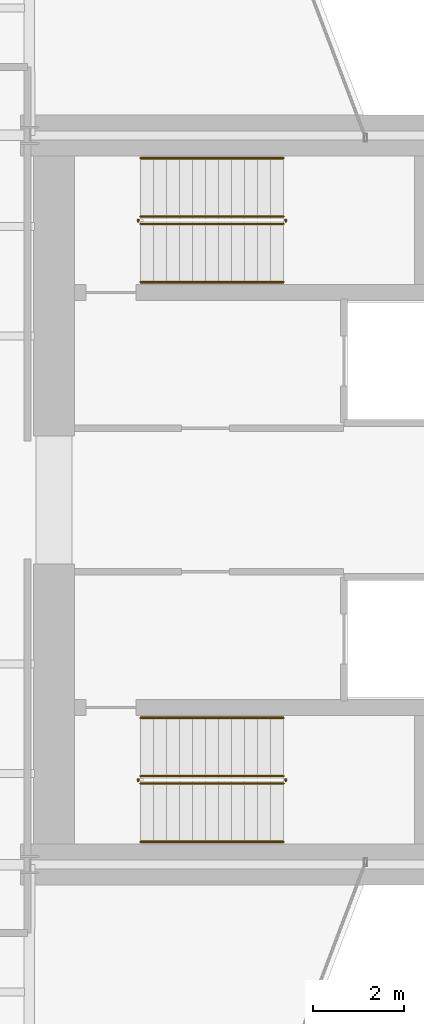
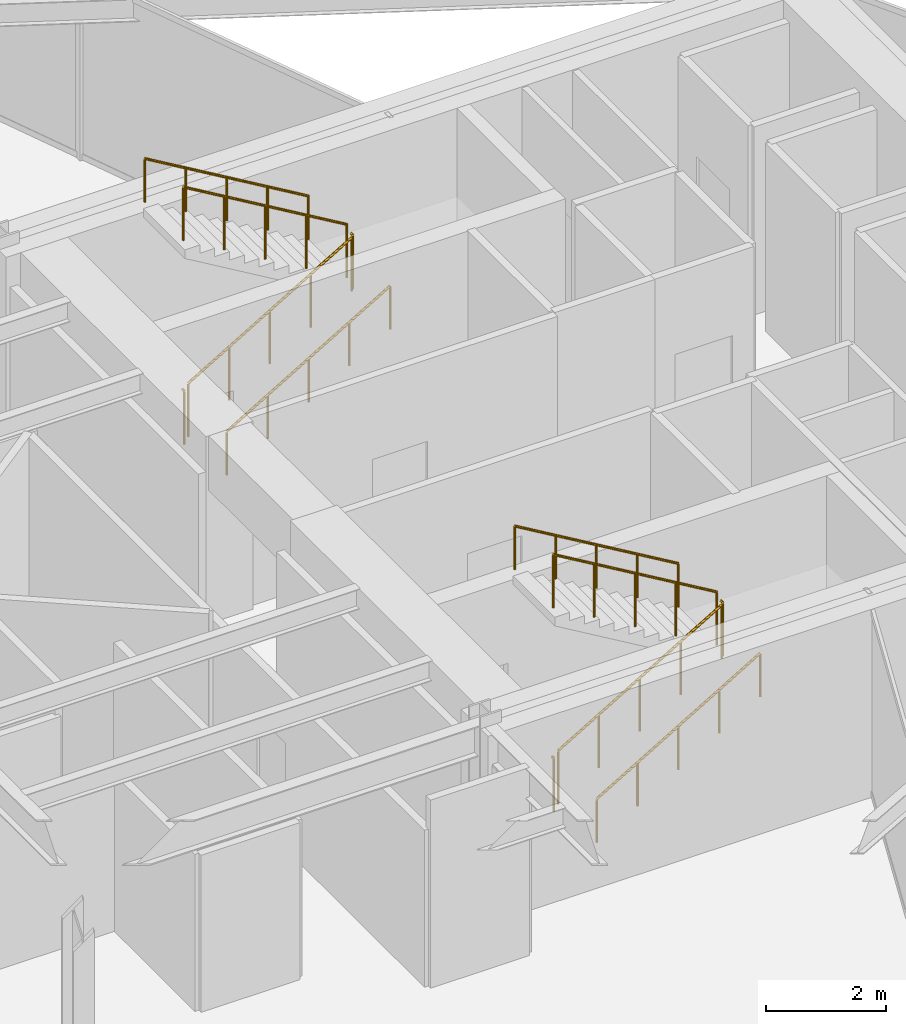
# One storey, part 28 of 28: 12 railings.
"""IFC4 building model written with IfcOpenShell, lengths in metres."""

from ifc_helpers import new_model, si_unit, direction, frame, origin, origin_2d, place, context, subcontext, project, spatial, circle, extrude, material, type_object, element, save


model = new_model("IFC4")

# Units and contexts
model_context = context("Model", 3, precision=1e-05, world=origin(), true_north=direction((0.0, 1.0)))
body_context = subcontext(model_context, "Body", "Model", "MODEL_VIEW")
ifc_project = project(units=[si_unit("LENGTHUNIT", "METRE"), si_unit("AREAUNIT", "SQUARE_METRE"), si_unit("VOLUMEUNIT", "CUBIC_METRE"), si_unit("PLANEANGLEUNIT", "RADIAN"), si_unit("MASSUNIT", "GRAM", prefix="KILO")], contexts=[model_context])

# Site, building, storey
site_placement = place(None, origin())
site = spatial("IfcSite", under=ifc_project, at=site_placement, CompositionType="ELEMENT")
building_placement = place(site_placement, origin())
building = spatial("IfcBuilding", under=site, at=building_placement, Name="Veymaron Broadcast Tower", CompositionType="ELEMENT")
storey_placement = place(building_placement, frame((0.0, 0.0, 45.89990234375)))
storey = spatial("IfcBuildingStorey", under=building, at=storey_placement, Name="L09", CompositionType="ELEMENT", Elevation=45.89990234375)

# Railings
ifc_material_1 = material(Name="Brushed stainless steel AISI 304", Category="steel")
railing_type_1 = type_object("IfcRailingType", Name="RAIL-STAIR-HR", PredefinedType="HANDRAIL", material=ifc_material_1)
railing_1_placement = place(storey_placement, frame((41.429931640625, 28.780029296875, 0.1689453125)))
element("IfcRailing", 1, at=railing_1_placement, inside=storey, type_object=railing_type_1, Name="L09 ST1 stair handrail 1", PredefinedType="HANDRAIL", context=body_context, shape_type="SweptSolid", body=[
    extrude(circle(Radius=0.02392578125, at=origin_2d()), frame((0.0, 0.0, 0.8759765625), z_axis=(0.860481960309, 0.0, 0.509480908359), x_axis=(0.0, 1.0, 0.0)), (0.0, 0.0, 1.0), 3.643310546875),
    extrude(circle(Radius=0.02099609375, at=origin_2d()), origin(), (0.0, 0.0, 1.0), 0.851806640625),
    extrude(circle(Radius=0.02099609375, at=origin_2d()), frame((0.78369140625, 0.0, 0.464111328125)), (0.0, 0.0, 1.0), 0.851806640625),
    extrude(circle(Radius=0.02099609375, at=origin_2d()), frame((1.5673828125, 0.0, 0.92822265625)), (0.0, 0.0, 1.0), 0.851806640625),
    extrude(circle(Radius=0.02099609375, at=origin_2d()), frame((2.351318359375, 0.0, 1.39208984375)), (0.0, 0.0, 1.0), 0.851806640625),
    extrude(circle(Radius=0.02099609375, at=origin_2d()), frame((3.135009765625, 0.0, 1.856201171875)), (0.0, 0.0, 1.0), 0.851806640625),
])
railing_2_placement = place(storey_placement, frame((44.56494140625, 31.5, 2.19384765625)))
element("IfcRailing", 2, at=railing_2_placement, inside=storey, type_object=railing_type_1, Name="L09 ST1 stair handrail 2", PredefinedType="HANDRAIL", context=body_context, shape_type="SweptSolid", body=[
    extrude(circle(Radius=0.02392578125, at=origin_2d()), frame((0.0, 0.0, 0.8759765625), z_axis=(-0.860481960309, 0.0, 0.509480908359), x_axis=(0.0, -1.0, 0.0)), (0.0, 0.0, 1.0), 3.643310546875),
    extrude(circle(Radius=0.02099609375, at=origin_2d()), origin(), (0.0, 0.0, 1.0), 0.851806640625),
    extrude(circle(Radius=0.02099609375, at=origin_2d()), frame((-0.78369140625, 0.0, 0.464111328125)), (0.0, 0.0, 1.0), 0.851806640625),
    extrude(circle(Radius=0.02099609375, at=origin_2d()), frame((-1.5673828125, 0.0, 0.92822265625)), (0.0, 0.0, 1.0), 0.851806640625),
    extrude(circle(Radius=0.02099609375, at=origin_2d()), frame((-2.351318359375, 0.0, 1.39208984375)), (0.0, 0.0, 1.0), 0.851806640625),
    extrude(circle(Radius=0.02099609375, at=origin_2d()), frame((-3.135009765625, 0.0, 1.856201171875)), (0.0, 0.0, 1.0), 0.851806640625),
])
railing_3_placement = place(storey_placement, frame((41.429931640625, 16.5, 0.1689453125)))
element("IfcRailing", 3, at=railing_3_placement, inside=storey, type_object=railing_type_1, Name="L09 ST2 stair handrail 1", PredefinedType="HANDRAIL", context=body_context, shape_type="SweptSolid", body=[
    extrude(circle(Radius=0.02392578125, at=origin_2d()), frame((0.0, 0.0, 0.8759765625), z_axis=(0.860481960309, 0.0, 0.509480908359), x_axis=(0.0, 1.0, 0.0)), (0.0, 0.0, 1.0), 3.643310546875),
    extrude(circle(Radius=0.02099609375, at=origin_2d()), origin(), (0.0, 0.0, 1.0), 0.851806640625),
    extrude(circle(Radius=0.02099609375, at=origin_2d()), frame((0.78369140625, 0.0, 0.464111328125)), (0.0, 0.0, 1.0), 0.851806640625),
    extrude(circle(Radius=0.02099609375, at=origin_2d()), frame((1.5673828125, 0.0, 0.92822265625)), (0.0, 0.0, 1.0), 0.851806640625),
    extrude(circle(Radius=0.02099609375, at=origin_2d()), frame((2.351318359375, 0.0, 1.39208984375)), (0.0, 0.0, 1.0), 0.851806640625),
    extrude(circle(Radius=0.02099609375, at=origin_2d()), frame((3.135009765625, 0.0, 1.856201171875)), (0.0, 0.0, 1.0), 0.851806640625),
])
railing_4_placement = place(storey_placement, frame((44.56494140625, 19.219970703125, 2.19384765625)))
element("IfcRailing", 4, at=railing_4_placement, inside=storey, type_object=railing_type_1, Name="L09 ST2 stair handrail 2", PredefinedType="HANDRAIL", context=body_context, shape_type="SweptSolid", body=[
    extrude(circle(Radius=0.02392578125, at=origin_2d()), frame((0.0, 0.0, 0.8759765625), z_axis=(-0.860481960309, 0.0, 0.509480908359), x_axis=(0.0, -1.0, 0.0)), (0.0, 0.0, 1.0), 3.643310546875),
    extrude(circle(Radius=0.02099609375, at=origin_2d()), origin(), (0.0, 0.0, 1.0), 0.851806640625),
    extrude(circle(Radius=0.02099609375, at=origin_2d()), frame((-0.78369140625, 0.0, 0.464111328125)), (0.0, 0.0, 1.0), 0.851806640625),
    extrude(circle(Radius=0.02099609375, at=origin_2d()), frame((-1.5673828125, 0.0, 0.92822265625)), (0.0, 0.0, 1.0), 0.851806640625),
    extrude(circle(Radius=0.02099609375, at=origin_2d()), frame((-2.351318359375, 0.0, 1.39208984375)), (0.0, 0.0, 1.0), 0.851806640625),
    extrude(circle(Radius=0.02099609375, at=origin_2d()), frame((-3.135009765625, 0.0, 1.856201171875)), (0.0, 0.0, 1.0), 0.851806640625),
])
ifc_material_2 = material(Name="Painted galvanized steel balustrade", Category="steel")
railing_type_2 = type_object("IfcRailingType", Name="RAIL-WELL-GRD", PredefinedType="GUARDRAIL", material=ifc_material_2)
railing_5_placement = place(storey_placement, frame((41.429931640625, 30.06005859375, 0.1689453125)))
element("IfcRailing", 5, at=railing_5_placement, inside=storey, type_object=railing_type_2, Name="L09 ST1 stair guard 1", PredefinedType="GUARDRAIL", context=body_context, shape_type="SweptSolid", body=[
    extrude(circle(Radius=0.02392578125, at=origin_2d()), frame((0.0, 0.0, 1.076171875), z_axis=(0.860481960309, 0.0, 0.509480908359), x_axis=(0.0, 1.0, 0.0)), (0.0, 0.0, 1.0), 3.643310546875),
    extrude(circle(Radius=0.02099609375, at=origin_2d()), origin(), (0.0, 0.0, 1.0), 1.052001953125),
    extrude(circle(Radius=0.02099609375, at=origin_2d()), frame((0.78369140625, 0.0, 0.464111328125)), (0.0, 0.0, 1.0), 1.052001953125),
    extrude(circle(Radius=0.02099609375, at=origin_2d()), frame((1.5673828125, 0.0, 0.92822265625)), (0.0, 0.0, 1.0), 1.052001953125),
    extrude(circle(Radius=0.02099609375, at=origin_2d()), frame((2.351318359375, 0.0, 1.39208984375)), (0.0, 0.0, 1.0), 1.052001953125),
    extrude(circle(Radius=0.02099609375, at=origin_2d()), frame((3.135009765625, 0.0, 1.856201171875)), (0.0, 0.0, 1.0), 1.052001953125),
])
railing_6_placement = place(storey_placement, frame((44.614990234375, 30.110107421875, 2.025146484375)))
element("IfcRailing", 6, at=railing_6_placement, inside=storey, type_object=railing_type_2, Name="L09 ST1 stair guard 2", PredefinedType="GUARDRAIL", context=body_context, shape_type="SweptSolid", body=[
    extrude(circle(Radius=0.02392578125, at=origin_2d()), frame((0.0, 0.0, 1.076171875), z_axis=(0.0, 1.0, 0.0), x_axis=(-1.0, 0.0, 0.0)), (0.0, 0.0, 1.0), 0.059814453125),
    extrude(circle(Radius=0.02099609375, at=origin_2d()), origin(), (0.0, 0.0, 1.0), 1.052001953125),
])
railing_7_placement = place(storey_placement, frame((44.56494140625, 30.219970703125, 2.19384765625)))
element("IfcRailing", 7, at=railing_7_placement, inside=storey, type_object=railing_type_2, Name="L09 ST1 stair guard 3", PredefinedType="GUARDRAIL", context=body_context, shape_type="SweptSolid", body=[
    extrude(circle(Radius=0.02392578125, at=origin_2d()), frame((0.0, 0.0, 1.076171875), z_axis=(-0.860481960309, 0.0, 0.509480908359), x_axis=(0.0, -1.0, 0.0)), (0.0, 0.0, 1.0), 3.643310546875),
    extrude(circle(Radius=0.02099609375, at=origin_2d()), origin(), (0.0, 0.0, 1.0), 1.052001953125),
    extrude(circle(Radius=0.02099609375, at=origin_2d()), frame((-0.78369140625, 0.0, 0.464111328125)), (0.0, 0.0, 1.0), 1.052001953125),
    extrude(circle(Radius=0.02099609375, at=origin_2d()), frame((-1.5673828125, 0.0, 0.92822265625)), (0.0, 0.0, 1.0), 1.052001953125),
    extrude(circle(Radius=0.02099609375, at=origin_2d()), frame((-2.351318359375, 0.0, 1.39208984375)), (0.0, 0.0, 1.0), 1.052001953125),
    extrude(circle(Radius=0.02099609375, at=origin_2d()), frame((-3.135009765625, 0.0, 1.856201171875)), (0.0, 0.0, 1.0), 1.052001953125),
])
railing_8_placement = place(storey_placement, frame((41.3798828125, 30.110107421875, 0.0)))
element("IfcRailing", 8, at=railing_8_placement, inside=storey, type_object=railing_type_2, Name="L09 ST1 stair guard 4", PredefinedType="GUARDRAIL", context=body_context, shape_type="SweptSolid", body=[
    extrude(circle(Radius=0.02392578125, at=origin_2d()), frame((0.0, 0.0, 1.076171875), z_axis=(0.0, 1.0, 0.0), x_axis=(-1.0, 0.0, 0.0)), (0.0, 0.0, 1.0), 0.059814453125),
    extrude(circle(Radius=0.02099609375, at=origin_2d()), origin(), (0.0, 0.0, 1.0), 1.052001953125),
])
railing_9_placement = place(storey_placement, frame((41.429931640625, 17.780029296875, 0.1689453125)))
element("IfcRailing", 9, at=railing_9_placement, inside=storey, type_object=railing_type_2, Name="L09 ST2 stair guard 1", PredefinedType="GUARDRAIL", context=body_context, shape_type="SweptSolid", body=[
    extrude(circle(Radius=0.02392578125, at=origin_2d()), frame((0.0, 0.0, 1.076171875), z_axis=(0.860481960309, 0.0, 0.509480908359), x_axis=(0.0, 1.0, 0.0)), (0.0, 0.0, 1.0), 3.643310546875),
    extrude(circle(Radius=0.02099609375, at=origin_2d()), origin(), (0.0, 0.0, 1.0), 1.052001953125),
    extrude(circle(Radius=0.02099609375, at=origin_2d()), frame((0.78369140625, 0.0, 0.464111328125)), (0.0, 0.0, 1.0), 1.052001953125),
    extrude(circle(Radius=0.02099609375, at=origin_2d()), frame((1.5673828125, 0.0, 0.92822265625)), (0.0, 0.0, 1.0), 1.052001953125),
    extrude(circle(Radius=0.02099609375, at=origin_2d()), frame((2.351318359375, 0.0, 1.39208984375)), (0.0, 0.0, 1.0), 1.052001953125),
    extrude(circle(Radius=0.02099609375, at=origin_2d()), frame((3.135009765625, 0.0, 1.856201171875)), (0.0, 0.0, 1.0), 1.052001953125),
])
railing_10_placement = place(storey_placement, frame((44.614990234375, 17.830078125, 2.025146484375)))
element("IfcRailing", 10, at=railing_10_placement, inside=storey, type_object=railing_type_2, Name="L09 ST2 stair guard 2", PredefinedType="GUARDRAIL", context=body_context, shape_type="SweptSolid", body=[
    extrude(circle(Radius=0.02392578125, at=origin_2d()), frame((0.0, 0.0, 1.076171875), z_axis=(0.0, 1.0, 0.0), x_axis=(-1.0, 0.0, 0.0)), (0.0, 0.0, 1.0), 0.059814453125),
    extrude(circle(Radius=0.02099609375, at=origin_2d()), origin(), (0.0, 0.0, 1.0), 1.052001953125),
])
railing_11_placement = place(storey_placement, frame((44.56494140625, 17.93994140625, 2.19384765625)))
element("IfcRailing", 11, at=railing_11_placement, inside=storey, type_object=railing_type_2, Name="L09 ST2 stair guard 3", PredefinedType="GUARDRAIL", context=body_context, shape_type="SweptSolid", body=[
    extrude(circle(Radius=0.02392578125, at=origin_2d()), frame((0.0, 0.0, 1.076171875), z_axis=(-0.860481960309, 0.0, 0.509480908359), x_axis=(0.0, -1.0, 0.0)), (0.0, 0.0, 1.0), 3.643310546875),
    extrude(circle(Radius=0.02099609375, at=origin_2d()), origin(), (0.0, 0.0, 1.0), 1.052001953125),
    extrude(circle(Radius=0.02099609375, at=origin_2d()), frame((-0.78369140625, 0.0, 0.464111328125)), (0.0, 0.0, 1.0), 1.052001953125),
    extrude(circle(Radius=0.02099609375, at=origin_2d()), frame((-1.5673828125, 0.0, 0.92822265625)), (0.0, 0.0, 1.0), 1.052001953125),
    extrude(circle(Radius=0.02099609375, at=origin_2d()), frame((-2.351318359375, 0.0, 1.39208984375)), (0.0, 0.0, 1.0), 1.052001953125),
    extrude(circle(Radius=0.02099609375, at=origin_2d()), frame((-3.135009765625, 0.0, 1.856201171875)), (0.0, 0.0, 1.0), 1.052001953125),
])
railing_12_placement = place(storey_placement, frame((41.3798828125, 17.830078125, 0.0)))
element("IfcRailing", 12, at=railing_12_placement, inside=storey, type_object=railing_type_2, Name="L09 ST2 stair guard 4", PredefinedType="GUARDRAIL", context=body_context, shape_type="SweptSolid", body=[
    extrude(circle(Radius=0.02392578125, at=origin_2d()), frame((0.0, 0.0, 1.076171875), z_axis=(0.0, 1.0, 0.0), x_axis=(-1.0, 0.0, 0.0)), (0.0, 0.0, 1.0), 0.059814453125),
    extrude(circle(Radius=0.02099609375, at=origin_2d()), origin(), (0.0, 0.0, 1.0), 1.052001953125),
])

save(model, "model.ifc")
